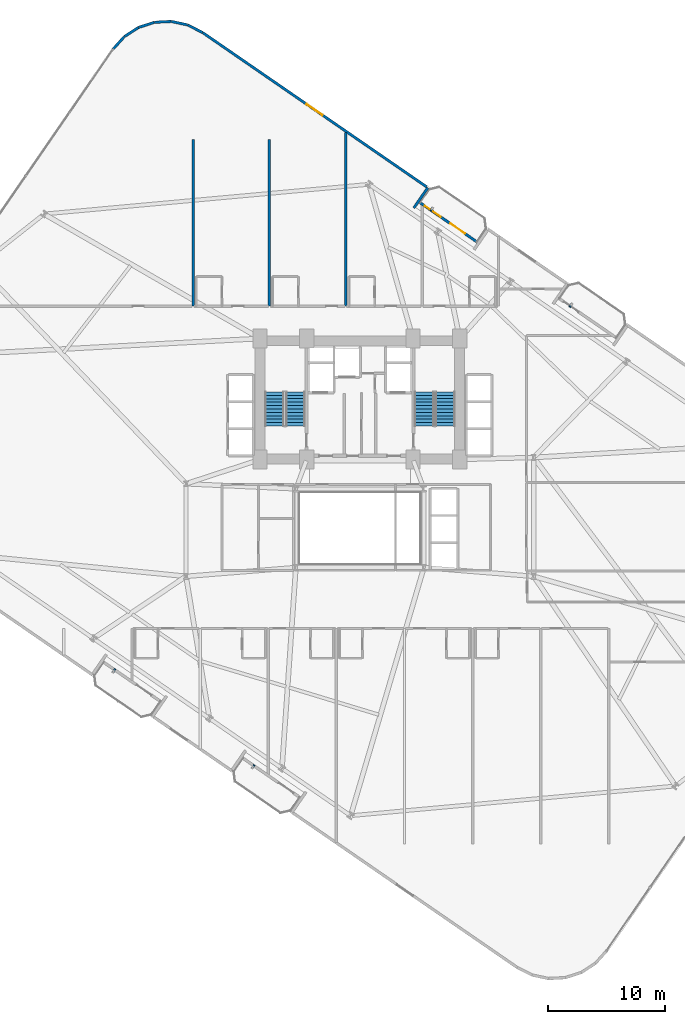
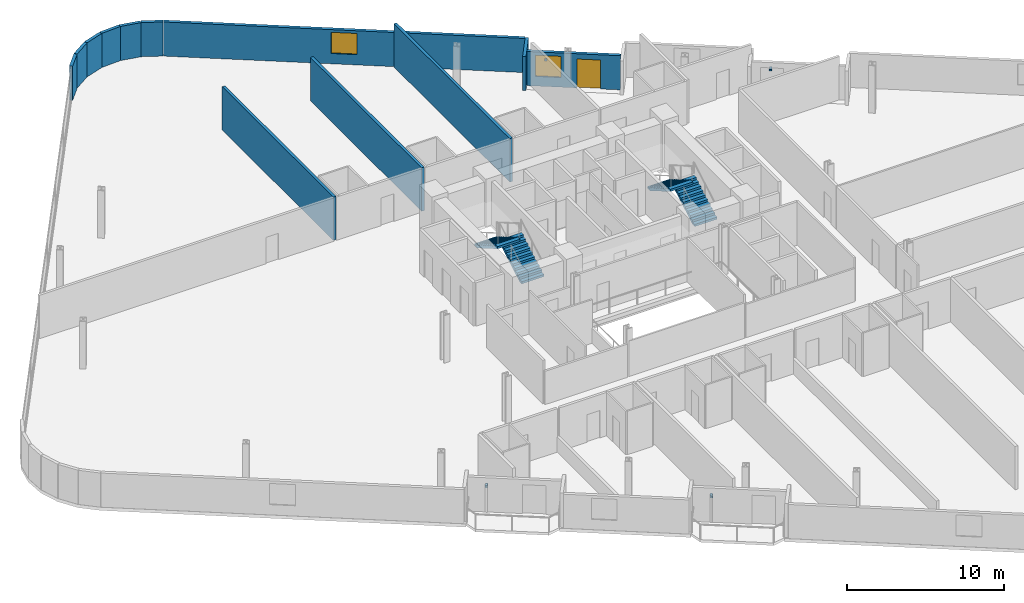
# One storey, part 21 of 24: 12 walls, 4 discrete accessories, 4 stair flights, 2 windows, 1 door, 3 openings, 2 elements without a shape of their own.
"""IFC4 building model written with IfcOpenShell, lengths in metres."""

from ifc_helpers import new_model, si_unit, direction, frame, frame_2d, origin, origin_2d, place, context, subcontext, project, spatial, polyline, rectangle, outline, extrude, source, transform, mapped, material, layer, layer_set, type_object, element, fill, aggregate, save


model = new_model("IFC4")

# Units and contexts
model_context = context("Model", 3, precision=1e-05, world=origin(), true_north=direction((0.0, 1.0)))
body_context = subcontext(model_context, "Body", "Model", "MODEL_VIEW")
ifc_project = project(units=[si_unit("LENGTHUNIT", "METRE"), si_unit("AREAUNIT", "SQUARE_METRE"), si_unit("VOLUMEUNIT", "CUBIC_METRE"), si_unit("PLANEANGLEUNIT", "RADIAN"), si_unit("MASSUNIT", "GRAM", prefix="KILO")], contexts=[model_context])

# Site, building, storey
site_placement = place(None, origin())
site = spatial("IfcSite", under=ifc_project, at=site_placement, CompositionType="ELEMENT")
building_placement = place(site_placement, origin())
building = spatial("IfcBuilding", under=site, at=building_placement, Name="Varnelok Gate Tower", CompositionType="ELEMENT")
storey_placement = place(building_placement, frame((0.0, 0.0, 67.699951171875)))
storey = spatial("IfcBuildingStorey", under=building, at=storey_placement, Name="L16", CompositionType="ELEMENT", Elevation=67.699951171875)

# Wall, openings, door, window
ifc_material_1 = material(Name="Concrete C45/55", Category="concrete")
ifc_layer_1 = layer(ifc_material_1, 0.219970703125)
ifc_layer_set_1 = layer_set([ifc_layer_1], Name="Concrete C45/55")
wall_type_1 = type_object("IfcWallType", Name="EW-BALC-220", PredefinedType="SOLIDWALL", material=ifc_layer_set_1)
wall_1_placement = place(storey_placement, frame((44.272705078125, 50.64501953125, 0.0), z_axis=(0.0, 0.0, 1.0), x_axis=(0.823534636215, -0.567265989598, 0.0)))
wall_1 = element("IfcWall", 1, at=wall_1_placement, inside=storey, type_object=wall_type_1, Name="L16 North Terrace Envelope Wall 3", PredefinedType="SOLIDWALL", context=body_context, shape_type="SweptSolid", body=[
    extrude(rectangle(XDim=6.0, YDim=0.219970703125, at=frame_2d((3.0, 0.0))), origin(), (0.0, 0.0, 1.0), 2.66015625),
])
opening_1_placement = place(wall_1_placement, frame((3.2119140625, 0.0, 0.0)))
opening_1 = element("IfcOpeningElement", 2, at=opening_1_placement, cuts=wall_1, Name="Opening BD-1", PredefinedType="OPENING", context=body_context, shape_type="SweptSolid", body=[
    extrude(rectangle(XDim=1.5, YDim=2.25, at=frame_2d((0.75, 1.125))), frame((0.0, 0.119873046875, 0.0), z_axis=(0.0, -1.0, 0.0), x_axis=(1.0, 0.0, 0.0)), (0.0, 0.0, 1.0), 0.239990234375),
])
opening_2_placement = place(wall_1_placement, frame((0.550048828125, 0.0, 0.75)))
opening_2 = element("IfcOpeningElement", 3, at=opening_2_placement, cuts=wall_1, Name="Opening WN3", PredefinedType="OPENING", context=body_context, shape_type="SweptSolid", body=[
    extrude(rectangle(XDim=1.64990234375, YDim=1.64990234375, at=frame_2d((0.824951171875, 0.824951171875))), frame((0.0, 0.119873046875, 0.0), z_axis=(0.0, -1.0, 0.0), x_axis=(1.0, 0.0, 0.0)), (0.0, 0.0, 1.0), 0.239990234375),
])
ifc_material_2 = material(Name="Anodized Aluminum Alloy 6063-T6", Category="aluminium")
door_type = type_object("IfcDoorType", Name="DR-EXT-BALC1500", OperationType="NOTDEFINED", PredefinedType="DOOR", material=ifc_material_2)
door_placement = place(opening_1_placement, origin())
door = element("IfcDoor", 4, at=door_placement, inside=storey, type_object=door_type, Name="L16 North Balcony Glazed Door 3", OperationType="SINGLE_SWING_RIGHT", OverallHeight=2.25, OverallWidth=1.5, PredefinedType="DOOR", context=body_context, shape_type="SweptSolid", body=[
    extrude(rectangle(XDim=1.5, YDim=2.25, at=frame_2d((0.75, 1.125))), frame((0.0, 0.02490234375, 0.0), z_axis=(0.0, -1.0, 0.0), x_axis=(1.0, 0.0, 0.0)), (0.0, 0.0, 1.0), 0.050048828125),
])
fill(opening_1, door)
ifc_material_3 = material(Name="Low-E Laminated Double Glazing IGU", Category="glass")
window_type = type_object("IfcWindowType", Name="WN-HTL-1650", PartitioningType="SINGLE_PANEL", PredefinedType="WINDOW", material=ifc_material_3)
window_1_placement = place(opening_2_placement, origin())
window_1 = element("IfcWindow", 5, at=window_1_placement, inside=storey, type_object=window_type, Name="L16 North Vision Window 3.1", OverallHeight=1.64990234375, OverallWidth=1.64990234375, PartitioningType="SINGLE_PANEL", PredefinedType="WINDOW", context=body_context, shape_type="SweptSolid", body=[
    extrude(rectangle(XDim=1.64990234375, YDim=1.64990234375, at=frame_2d((0.824951171875, 0.824951171875))), frame((0.0, 0.030029296875, 0.0), z_axis=(0.0, -1.0, 0.0), x_axis=(1.0, 0.0, 0.0)), (0.0, 0.0, 1.0), 0.06005859375),
])
fill(opening_2, window_1)

# Wall
wall_2_placement = place(storey_placement, frame((43.793701171875, 50.161376953125, 0.0), z_axis=(0.0, 0.0, 1.0), x_axis=(0.567352541689, 0.823475010816, 0.0)))
element("IfcWall", 6, at=wall_2_placement, inside=storey, type_object=wall_type_1, Name="L16 Perimeter Facade Closure Wall 31", PredefinedType="SOLIDWALL", context=body_context, shape_type="SweptSolid", body=[
    extrude(rectangle(XDim=2.099853515625, YDim=0.219970703125, at=frame_2d((1.0498046875, 0.0))), origin(), (0.0, 0.0, 1.0), 2.66015625),
])

# Wall, opening, window
wall_3_placement = place(storey_placement, frame((44.882080078125, 51.961669921875, 0.0), z_axis=(0.0, 0.0, 1.0), x_axis=(-0.823534427573, 0.567266292497, 0.0)))
wall_3 = element("IfcWall", 7, at=wall_3_placement, inside=storey, type_object=wall_type_1, Name="L16 Perimeter Facade Closure Wall 32", PredefinedType="SOLIDWALL", context=body_context, shape_type="SweptSolid", body=[
    extrude(rectangle(XDim=23.147216796875, YDim=0.219970703125, at=frame_2d((11.57373046875, 0.0))), origin(), (0.0, 0.0, 1.0), 2.66015625),
])
opening_3_placement = place(wall_3_placement, frame((10.74853515625, 0.0, 0.800048828125)))
opening_3 = element("IfcOpeningElement", 8, at=opening_3_placement, cuts=wall_3, Name="Opening WN3", PredefinedType="OPENING", context=body_context, shape_type="SweptSolid", body=[
    extrude(rectangle(XDim=1.64990234375, YDim=1.64990234375, at=frame_2d((0.824951171875, 0.824951171875))), frame((0.0, 0.119873046875, 0.0), z_axis=(0.0, -1.0, 0.0), x_axis=(1.0, 0.0, 0.0)), (0.0, 0.0, 1.0), 0.239990234375),
])
window_2_placement = place(opening_3_placement, origin())
window_2 = element("IfcWindow", 9, at=window_2_placement, inside=storey, type_object=window_type, Name="L16 Perimeter Vision Window 32", OverallHeight=1.64990234375, OverallWidth=1.64990234375, PartitioningType="SINGLE_PANEL", PredefinedType="WINDOW", context=body_context, shape_type="SweptSolid", body=[
    extrude(rectangle(XDim=1.64990234375, YDim=1.64990234375, at=frame_2d((0.824951171875, 0.824951171875))), frame((0.0, 0.030029296875, 0.0), z_axis=(0.0, -1.0, 0.0), x_axis=(1.0, 0.0, 0.0)), (0.0, 0.0, 1.0), 0.06005859375),
])
fill(opening_3, window_2)

# Walls
wall_4_placement = place(storey_placement, frame((25.79736328125, 65.103759765625, 0.0), z_axis=(0.0, 0.0, 1.0), x_axis=(-0.890559109247, 0.454867533394, 0.0)))
element("IfcWall", 10, at=wall_4_placement, inside=storey, type_object=wall_type_1, Name="L16 Perimeter Facade Closure Wall 33", PredefinedType="SOLIDWALL", context=body_context, shape_type="SweptSolid", body=[
    extrude(rectangle(XDim=1.4130859375, YDim=0.219970703125, at=frame_2d((0.70654296875, 0.0))), origin(), (0.0, 0.0, 1.0), 2.66015625),
])
for number, where, z_axis, x_axis, name in (
    (11, (24.514404296875, 65.751953125, 0.0), (0.0, 0.0, 1.0), (-0.977952168511, 0.208829011645, 0.0), "L16 Perimeter Facade Closure Wall 34"),
    (12, (23.114990234375, 66.044189453125, 0.0), (0.0, 0.0, 1.0), (-0.998685611917, -0.051254741739, 0.0), "L16 Perimeter Facade Closure Wall 35"),
    (13, (21.68798828125, 65.96435546875, 0.0), (0.0, 0.0, 1.0), (-0.951375653596, -0.308033059501, 0.0), "L16 Perimeter Facade Closure Wall 36"),
    (14, (20.330078125, 65.517822265625, 0.0), (0.0, 0.0, 1.0), (-0.839327688057, -0.543625819899, 0.0), "L16 Perimeter Facade Closure Wall 37"),
    (15, (19.1337890625, 64.735107421875, 0.0), (0.0, 0.0, 1.0), (-0.669952842826, -0.742403655964, 0.0), "L16 Perimeter Facade Closure Wall 38"),
):
    element("IfcWall", number, at=place(storey_placement, frame(where, z_axis=z_axis, x_axis=x_axis)), inside=storey, type_object=wall_type_1, Name=name, PredefinedType="SOLIDWALL", context=body_context, shape_type="SweptSolid", body=[
        extrude(rectangle(XDim=1.4052734375, YDim=0.219970703125, at=frame_2d((0.70263671875, 0.0))), origin(), (0.0, 0.0, 1.0), 2.66015625),
    ])
ifc_material_4 = material(Name="Gypsum Plasterboard Acoustic Partition", Category="gypsum")
ifc_layer_2 = layer(ifc_material_4, 0.205078125)
ifc_layer_set_2 = layer_set([ifc_layer_2], Name="Gypsum Plasterboard Acoustic Partition")
wall_type_2 = type_object("IfcWallType", Name="PW-PARTY-200", PredefinedType="PARTITIONING", material=ifc_layer_set_2)
for number, where, z_axis, x_axis, name in (
    (16, (25.0, 41.800048828125, 0.0), (0.0, 0.0, 1.0), (0.0, 1.0, 0.0), "L16 North Party Wall 1"),
    (17, (31.5, 41.800048828125, 0.0), (0.0, 0.0, 1.0), (0.0, 1.0, 0.0), "L16 North Party Wall 2"),
):
    element("IfcWall", number, at=place(storey_placement, frame(where, z_axis=z_axis, x_axis=x_axis)), inside=storey, type_object=wall_type_2, Name=name, PredefinedType="PARTITIONING", context=body_context, shape_type="SweptSolid", body=[
        extrude(rectangle(XDim=14.199951171875, YDim=0.205078125, at=frame_2d((7.10009765625, 0.0))), origin(), (0.0, 0.0, 1.0), 3.380126953125),
    ])
wall_5_placement = place(storey_placement, frame((38.0, 41.800048828125, 0.0), z_axis=(0.0, 0.0, 1.0), x_axis=(0.0, 1.0, 0.0)))
element("IfcWall", 18, at=wall_5_placement, inside=storey, type_object=wall_type_2, Name="L16 North Party Wall 3", PredefinedType="PARTITIONING", context=body_context, shape_type="SweptSolid", body=[
    extrude(rectangle(XDim=14.797119140625, YDim=0.205078125, at=frame_2d((7.3984375, 0.0))), origin(), (0.0, 0.0, 1.0), 3.380126953125),
])

# Stair, stair flights
ifc_material_5 = material(Name="Concrete C50/60", Category="concrete")
stair_type = type_object("IfcStairType", Name="STR-CORE-1650", PredefinedType="HALF_TURN_STAIR", material=ifc_material_5)
stair_1_placement = place(storey_placement, origin())
stair_1 = element("IfcStair", 19, at=stair_1_placement, inside=storey, type_object=stair_type, Name="L16 Exit Stair ST-1", PredefinedType="HALF_TURN_STAIR")
stair_flight_type = type_object("IfcStairFlightType", Name="SFL-CORE-1650", PredefinedType="STRAIGHT", material=ifc_material_5)
stair_flight_1_placement = place(storey_placement, frame((33.72509765625, 31.60009765625, 0.0), z_axis=(0.0, 0.0, 1.0), x_axis=(0.0, 1.0, 0.0)))
stair_flight_1 = element("IfcStairFlight", 20, at=stair_flight_1_placement, type_object=stair_flight_type, Name="ST-1 flight 1", NumberOfRisers=11, NumberOfTreads=10, PredefinedType="STRAIGHT", RiserHeight=0.168181818, TreadLength=0.29, context=body_context, shape_type="SweptSolid", body=[
    extrude(outline(polyline([(0.0, 0.0), (0.0, 0.168212890625), (0.2900390625, 0.168212890625), (0.2900390625, 0.33642578125), (0.580078125, 0.33642578125), (0.580078125, 0.504638671875), (0.8701171875, 0.504638671875), (0.8701171875, 0.672607421875), (1.159912109375, 0.672607421875), (1.159912109375, 0.8408203125), (1.449951171875, 0.8408203125), (1.449951171875, 1.009033203125), (1.739990234375, 1.009033203125), (1.739990234375, 1.17724609375), (2.030029296875, 1.17724609375), (2.030029296875, 1.345458984375), (2.320068359375, 1.345458984375), (2.320068359375, 1.513671875), (2.610107421875, 1.513671875), (2.610107421875, 1.681884765625), (2.89990234375, 1.681884765625), (2.89990234375, 1.85009765625), (2.89990234375, 1.508544921875), (0.298828125, 0.0), (0.0, 0.0)])), frame((0.0, 0.824951171875, 0.0), z_axis=(0.0, -1.0, 0.0), x_axis=(1.0, 0.0, 0.0)), (0.0, 0.0, 1.0), 1.64990234375),
])
stair_flight_2_placement = place(storey_placement, frame((31.925048828125, 34.5, 1.85009765625), z_axis=(0.0, 0.0, 1.0), x_axis=(0.0, -1.0, 0.0)))
stair_flight_2 = element("IfcStairFlight", 21, at=stair_flight_2_placement, type_object=stair_flight_type, Name="ST-1 flight 2", NumberOfRisers=11, NumberOfTreads=10, PredefinedType="STRAIGHT", RiserHeight=0.168181818, TreadLength=0.29, context=body_context, shape_type="SweptSolid", body=[
    extrude(outline(polyline([(0.0, 0.0), (0.0, 0.168212890625), (0.2900390625, 0.168212890625), (0.2900390625, 0.33642578125), (0.580078125, 0.33642578125), (0.580078125, 0.504638671875), (0.8701171875, 0.504638671875), (0.8701171875, 0.672607421875), (1.159912109375, 0.672607421875), (1.159912109375, 0.8408203125), (1.449951171875, 0.8408203125), (1.449951171875, 1.009033203125), (1.739990234375, 1.009033203125), (1.739990234375, 1.17724609375), (2.030029296875, 1.17724609375), (2.030029296875, 1.345458984375), (2.320068359375, 1.345458984375), (2.320068359375, 1.513671875), (2.610107421875, 1.513671875), (2.610107421875, 1.681884765625), (2.89990234375, 1.681884765625), (2.89990234375, 1.85009765625), (2.89990234375, 1.508544921875), (0.298828125, 0.0), (0.0, 0.0)])), frame((0.0, 0.824951171875, 0.0), z_axis=(0.0, -1.0, 0.0), x_axis=(1.0, 0.0, 0.0)), (0.0, 0.0, 1.0), 1.64990234375),
])
aggregate(stair_1, [stair_flight_1, stair_flight_2])

stair_2_placement = place(storey_placement, origin())
stair_2 = element("IfcStair", 22, at=stair_2_placement, inside=storey, type_object=stair_type, Name="L16 Exit Stair ST-2", PredefinedType="HALF_TURN_STAIR")
stair_flight_3_placement = place(storey_placement, frame((46.47509765625, 31.60009765625, 0.0), z_axis=(0.0, 0.0, 1.0), x_axis=(0.0, 1.0, 0.0)))
stair_flight_3 = element("IfcStairFlight", 23, at=stair_flight_3_placement, type_object=stair_flight_type, Name="ST-2 flight 1", NumberOfRisers=11, NumberOfTreads=10, PredefinedType="STRAIGHT", RiserHeight=0.168181818, TreadLength=0.29, context=body_context, shape_type="SweptSolid", body=[
    extrude(outline(polyline([(0.0, 0.0), (0.0, 0.168212890625), (0.2900390625, 0.168212890625), (0.2900390625, 0.33642578125), (0.580078125, 0.33642578125), (0.580078125, 0.504638671875), (0.8701171875, 0.504638671875), (0.8701171875, 0.672607421875), (1.159912109375, 0.672607421875), (1.159912109375, 0.8408203125), (1.449951171875, 0.8408203125), (1.449951171875, 1.009033203125), (1.739990234375, 1.009033203125), (1.739990234375, 1.17724609375), (2.030029296875, 1.17724609375), (2.030029296875, 1.345458984375), (2.320068359375, 1.345458984375), (2.320068359375, 1.513671875), (2.610107421875, 1.513671875), (2.610107421875, 1.681884765625), (2.89990234375, 1.681884765625), (2.89990234375, 1.85009765625), (2.89990234375, 1.508544921875), (0.298828125, 0.0), (0.0, 0.0)])), frame((0.0, 0.824951171875, 0.0), z_axis=(0.0, -1.0, 0.0), x_axis=(1.0, 0.0, 0.0)), (0.0, 0.0, 1.0), 1.64990234375),
])
stair_flight_4_placement = place(storey_placement, frame((44.675048828125, 34.5, 1.85009765625), z_axis=(0.0, 0.0, 1.0), x_axis=(0.0, -1.0, 0.0)))
stair_flight_4 = element("IfcStairFlight", 24, at=stair_flight_4_placement, type_object=stair_flight_type, Name="ST-2 flight 2", NumberOfRisers=11, NumberOfTreads=10, PredefinedType="STRAIGHT", RiserHeight=0.168181818, TreadLength=0.29, context=body_context, shape_type="SweptSolid", body=[
    extrude(outline(polyline([(0.0, 0.0), (0.0, 0.168212890625), (0.2900390625, 0.168212890625), (0.2900390625, 0.33642578125), (0.580078125, 0.33642578125), (0.580078125, 0.504638671875), (0.8701171875, 0.504638671875), (0.8701171875, 0.672607421875), (1.159912109375, 0.672607421875), (1.159912109375, 0.8408203125), (1.449951171875, 0.8408203125), (1.449951171875, 1.009033203125), (1.739990234375, 1.009033203125), (1.739990234375, 1.17724609375), (2.030029296875, 1.17724609375), (2.030029296875, 1.345458984375), (2.320068359375, 1.345458984375), (2.320068359375, 1.513671875), (2.610107421875, 1.513671875), (2.610107421875, 1.681884765625), (2.89990234375, 1.681884765625), (2.89990234375, 1.85009765625), (2.89990234375, 1.508544921875), (0.298828125, 0.0), (0.0, 0.0)])), frame((0.0, 0.824951171875, 0.0), z_axis=(0.0, -1.0, 0.0), x_axis=(1.0, 0.0, 0.0)), (0.0, 0.0, 1.0), 1.64990234375),
])
aggregate(stair_2, [stair_flight_3, stair_flight_4])

# Discrete accessories
ifc_material_6 = material(Name="Structural Steel ASTM A500 Grade C", Category="steel")
discrete_accessory_type = type_object("IfcDiscreteAccessoryType", Name="ACC-BAGUETTE-BRK", PredefinedType="BRACKET", material=ifc_material_6)
shared_shape = source(origin(), body_context, "Body", "SweptSolid", [
    extrude(rectangle(XDim=0.159912109375, YDim=0.340087890625, at=origin_2d()), origin(), (0.0, 0.0, 1.0), 0.139892578125),
])
for number, where, z_axis, x_axis, name in (
    (25, (18.270263671875, 10.780517578125, 1.97998046875), (0.0, 0.0, 1.0), (0.823532597628, -0.567268949127, 0.0), "L16 Terracotta Baguette Bracket 1.1"),
    (26, (30.129150390625, 2.612060546875, 1.97998046875), (0.0, 0.0, 1.0), (0.823532597628, -0.567268949127, 0.0), "L16 Terracotta Baguette Bracket 2.1"),
    (27, (45.30615234375, 50.0302734375, 1.97998046875), (0.0, 0.0, 1.0), (0.823532597628, -0.567268949127, 0.0), "L16 Terracotta Baguette Bracket 3.1"),
    (28, (57.1650390625, 41.861572265625, 1.97998046875), (0.0, 0.0, 1.0), (0.823532597628, -0.567268949127, 0.0), "L16 Terracotta Baguette Bracket 4.1"),
):
    element("IfcDiscreteAccessory", number, at=place(storey_placement, frame(where, z_axis=z_axis, x_axis=x_axis)), inside=storey, type_object=discrete_accessory_type, Name=name, PredefinedType="BRACKET", context=body_context, shape_type="MappedRepresentation", body=[
        mapped(shared_shape, transform((0.0, 0.0, 0.0), scale=1.0)),
    ])

save(model, "model.ifc")
